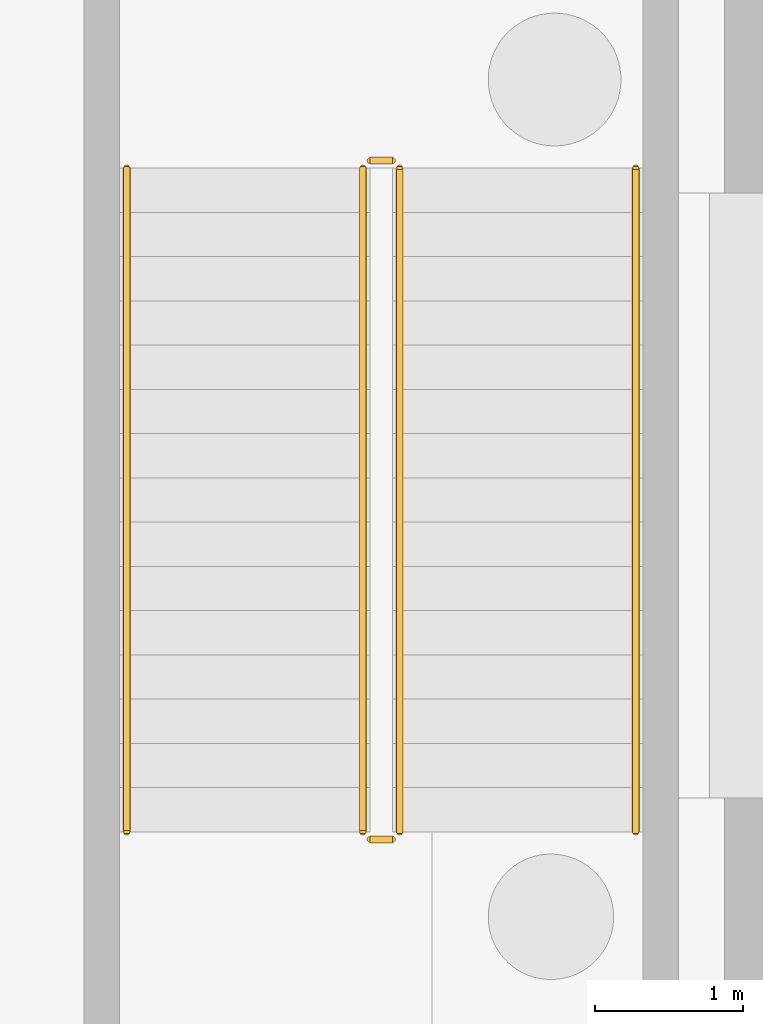
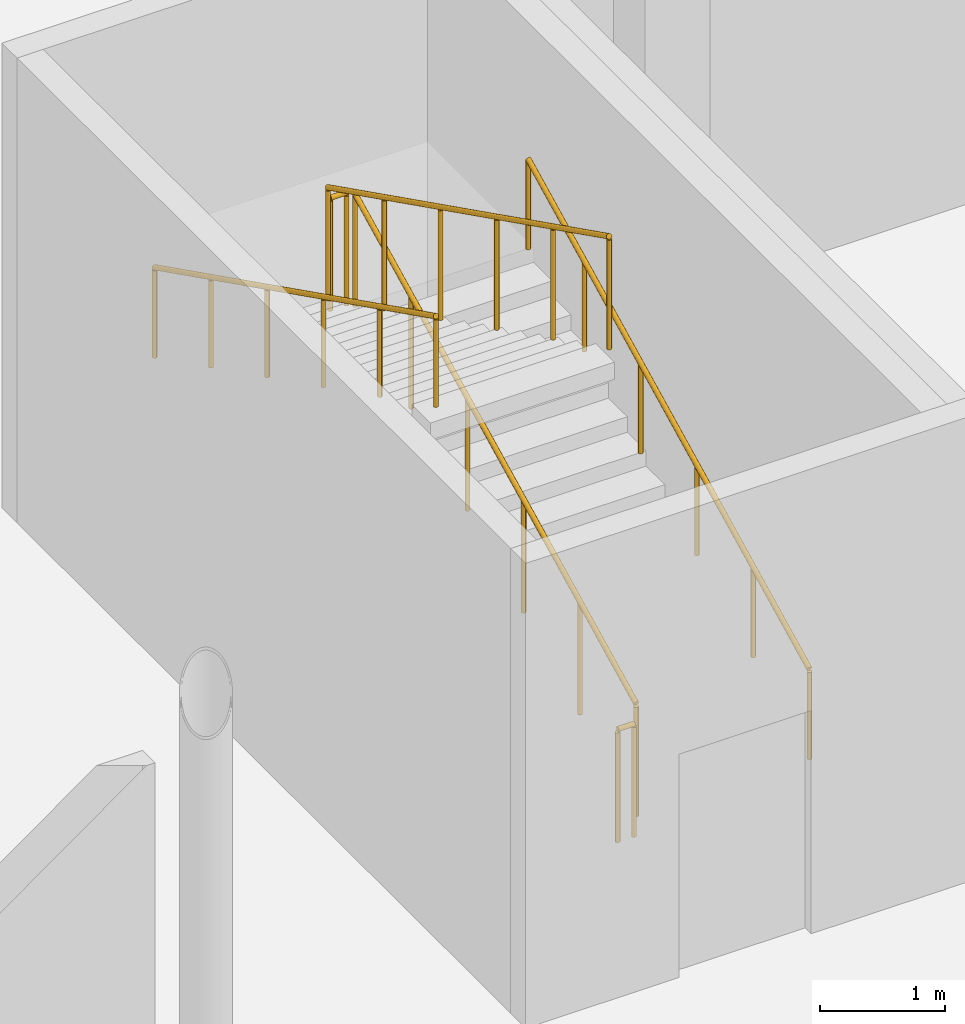
# One storey, part 37 of 44: 6 railings.
"""IFC4 building model written with IfcOpenShell, lengths in metres."""

from ifc_helpers import new_model, si_unit, direction, frame, origin, origin_2d, place, context, subcontext, project, spatial, circle, extrude, material, layer, layer_set, type_object, element, save


model = new_model("IFC4")

# Units and contexts
model_context = context("Model", 3, precision=1e-05, world=origin(), true_north=direction((0.0, 1.0)))
body_context = subcontext(model_context, "Body", "Model", "MODEL_VIEW")
ifc_project = project(units=[si_unit("LENGTHUNIT", "METRE"), si_unit("AREAUNIT", "SQUARE_METRE"), si_unit("VOLUMEUNIT", "CUBIC_METRE"), si_unit("PLANEANGLEUNIT", "RADIAN"), si_unit("MASSUNIT", "GRAM", prefix="KILO")], contexts=[model_context])

# Site, building, storey
site_placement = place(None, origin())
site = spatial("IfcSite", under=ifc_project, at=site_placement, CompositionType="ELEMENT")
building_placement = place(site_placement, origin())
building = spatial("IfcBuilding", under=site, at=building_placement, Name="Yukiwa Park Conservatory and Herbarium", CompositionType="ELEMENT")
storey_placement = place(building_placement, frame((0.0, 0.0, -4.800048828125)))
storey = spatial("IfcBuildingStorey", under=building, at=storey_placement, Name="B1", CompositionType="ELEMENT", Elevation=-4.800048828125)

# Railings
ifc_material_1 = material(Name="Steel Q235B", Category="steel")
ifc_layer_1 = layer(ifc_material_1, 0.050048828125)
ifc_layer_set_1 = layer_set([ifc_layer_1], Name="Steel Q235B")
railing_type_1 = type_object("IfcRailingType", Name="RL-STAIR-GUARD-1120", PredefinedType="BALUSTRADE", material=ifc_layer_set_1)
railing_1_placement = place(storey_placement, frame((57.60009765625, 9.14990234375, 0.150146484375)))
element("IfcRailing", 1, at=railing_1_placement, inside=storey, type_object=railing_type_1, Name="B1 ST-C2 stair guard 1", PredefinedType="BALUSTRADE", context=body_context, shape_type="SweptSolid", body=[
    extrude(circle(Radius=0.02392578125, at=origin_2d()), frame((0.0, 0.0, 1.09619140625), z_axis=(0.0, 0.894427191, 0.4472135955), x_axis=(-1.0, 0.0, 0.0)), (0.0, 0.0, 1.0), 5.03125),
    extrude(circle(Radius=0.02099609375, at=origin_2d()), origin(), (0.0, 0.0, 1.0), 1.072021484375),
    extrude(circle(Radius=0.02099609375, at=origin_2d()), frame((0.0, 0.89990234375, 0.449951171875)), (0.0, 0.0, 1.0), 1.072021484375),
    extrude(circle(Radius=0.02099609375, at=origin_2d()), frame((0.0, 1.800048828125, 0.89990234375)), (0.0, 0.0, 1.0), 1.072021484375),
    extrude(circle(Radius=0.02099609375, at=origin_2d()), frame((0.0, 2.699951171875, 1.35009765625)), (0.0, 0.0, 1.0), 1.072021484375),
    extrude(circle(Radius=0.02099609375, at=origin_2d()), frame((0.0, 3.60009765625, 1.800048828125)), (0.0, 0.0, 1.0), 1.072021484375),
    extrude(circle(Radius=0.02099609375, at=origin_2d()), frame((0.0, 4.5, 2.25)), (0.0, 0.0, 1.0), 1.072021484375),
])
railing_2_placement = place(storey_placement, frame((57.550048828125, 13.699951171875, 2.400146484375)))
element("IfcRailing", 2, at=railing_2_placement, inside=storey, type_object=railing_type_1, Name="B1 ST-C2 stair guard 2", PredefinedType="BALUSTRADE", context=body_context, shape_type="SweptSolid", body=[
    extrude(circle(Radius=0.02392578125, at=origin_2d()), frame((0.0, 0.0, 1.09619140625), z_axis=(-1.0, 0.0, 0.0), x_axis=(0.0, -1.0, 0.0)), (0.0, 0.0, 1.0), 0.150146484375),
    extrude(circle(Radius=0.02099609375, at=origin_2d()), origin(), (0.0, 0.0, 1.0), 1.072021484375),
    extrude(circle(Radius=0.02099609375, at=origin_2d()), frame((-0.150146484375, 0.0, 0.0)), (0.0, 0.0, 1.0), 1.072021484375),
])
railing_3_placement = place(storey_placement, frame((57.35009765625, 13.64990234375, 2.550048828125)))
element("IfcRailing", 3, at=railing_3_placement, inside=storey, type_object=railing_type_1, Name="B1 ST-C2 stair guard 3", PredefinedType="BALUSTRADE", context=body_context, shape_type="SweptSolid", body=[
    extrude(circle(Radius=0.02392578125, at=origin_2d()), frame((0.0, 0.0, 1.09619140625), z_axis=(0.0, -0.894427191, 0.4472135955), x_axis=(1.0, 0.0, 0.0)), (0.0, 0.0, 1.0), 5.03125),
    extrude(circle(Radius=0.02099609375, at=origin_2d()), origin(), (0.0, 0.0, 1.0), 1.072021484375),
    extrude(circle(Radius=0.02099609375, at=origin_2d()), frame((0.0, -0.89990234375, 0.449951171875)), (0.0, 0.0, 1.0), 1.072021484375),
    extrude(circle(Radius=0.02099609375, at=origin_2d()), frame((0.0, -1.800048828125, 0.89990234375)), (0.0, 0.0, 1.0), 1.072021484375),
    extrude(circle(Radius=0.02099609375, at=origin_2d()), frame((0.0, -2.699951171875, 1.35009765625)), (0.0, 0.0, 1.0), 1.072021484375),
    extrude(circle(Radius=0.02099609375, at=origin_2d()), frame((0.0, -3.60009765625, 1.800048828125)), (0.0, 0.0, 1.0), 1.072021484375),
    extrude(circle(Radius=0.02099609375, at=origin_2d()), frame((0.0, -4.5, 2.25)), (0.0, 0.0, 1.0), 1.072021484375),
])
railing_4_placement = place(storey_placement, frame((57.550048828125, 9.10009765625, 0.0)))
element("IfcRailing", 4, at=railing_4_placement, inside=storey, type_object=railing_type_1, Name="B1 ST-C2 stair guard 4", PredefinedType="BALUSTRADE", context=body_context, shape_type="SweptSolid", body=[
    extrude(circle(Radius=0.02392578125, at=origin_2d()), frame((0.0, 0.0, 1.09619140625), z_axis=(-1.0, 0.0, 0.0), x_axis=(0.0, -1.0, 0.0)), (0.0, 0.0, 1.0), 0.150146484375),
    extrude(circle(Radius=0.02099609375, at=origin_2d()), origin(), (0.0, 0.0, 1.0), 1.072021484375),
    extrude(circle(Radius=0.02099609375, at=origin_2d()), frame((-0.150146484375, 0.0, 0.0)), (0.0, 0.0, 1.0), 1.072021484375),
])
ifc_material_2 = material(Name="Steel Q235B", Category="steel")
ifc_layer_2 = layer(ifc_material_2, 0.044921875)
ifc_layer_set_2 = layer_set([ifc_layer_2], Name="Steel Q235B")
railing_type_2 = type_object("IfcRailingType", Name="RL-STAIR-RAIL-900", PredefinedType="HANDRAIL", material=ifc_layer_set_2)
railing_5_placement = place(storey_placement, frame((59.199951171875, 9.14990234375, 0.150146484375)))
element("IfcRailing", 5, at=railing_5_placement, inside=storey, type_object=railing_type_2, Name="B1 ST-C2 stair handrail 1", PredefinedType="HANDRAIL", context=body_context, shape_type="SweptSolid", body=[
    extrude(circle(Radius=0.02392578125, at=origin_2d()), frame((0.0, 0.0, 0.8759765625), z_axis=(0.0, 0.894427191, 0.4472135955), x_axis=(-1.0, 0.0, 0.0)), (0.0, 0.0, 1.0), 5.03125),
    extrude(circle(Radius=0.02099609375, at=origin_2d()), origin(), (0.0, 0.0, 1.0), 0.851806640625),
    extrude(circle(Radius=0.02099609375, at=origin_2d()), frame((0.0, 0.89990234375, 0.449951171875)), (0.0, 0.0, 1.0), 0.851806640625),
    extrude(circle(Radius=0.02099609375, at=origin_2d()), frame((0.0, 1.800048828125, 0.89990234375)), (0.0, 0.0, 1.0), 0.851806640625),
    extrude(circle(Radius=0.02099609375, at=origin_2d()), frame((0.0, 2.699951171875, 1.35009765625)), (0.0, 0.0, 1.0), 0.851806640625),
    extrude(circle(Radius=0.02099609375, at=origin_2d()), frame((0.0, 3.60009765625, 1.800048828125)), (0.0, 0.0, 1.0), 0.851806640625),
    extrude(circle(Radius=0.02099609375, at=origin_2d()), frame((0.0, 4.5, 2.25)), (0.0, 0.0, 1.0), 0.851806640625),
])
railing_6_placement = place(storey_placement, frame((55.75, 13.64990234375, 2.550048828125)))
element("IfcRailing", 6, at=railing_6_placement, inside=storey, type_object=railing_type_2, Name="B1 ST-C2 stair handrail 2", PredefinedType="HANDRAIL", context=body_context, shape_type="SweptSolid", body=[
    extrude(circle(Radius=0.02392578125, at=origin_2d()), frame((0.0, 0.0, 0.8759765625), z_axis=(0.0, -0.894427191, 0.4472135955), x_axis=(1.0, 0.0, 0.0)), (0.0, 0.0, 1.0), 5.03125),
    extrude(circle(Radius=0.02099609375, at=origin_2d()), origin(), (0.0, 0.0, 1.0), 0.851806640625),
    extrude(circle(Radius=0.02099609375, at=origin_2d()), frame((0.0, -0.89990234375, 0.449951171875)), (0.0, 0.0, 1.0), 0.851806640625),
    extrude(circle(Radius=0.02099609375, at=origin_2d()), frame((0.0, -1.800048828125, 0.89990234375)), (0.0, 0.0, 1.0), 0.851806640625),
    extrude(circle(Radius=0.02099609375, at=origin_2d()), frame((0.0, -2.699951171875, 1.35009765625)), (0.0, 0.0, 1.0), 0.851806640625),
    extrude(circle(Radius=0.02099609375, at=origin_2d()), frame((0.0, -3.60009765625, 1.800048828125)), (0.0, 0.0, 1.0), 0.851806640625),
    extrude(circle(Radius=0.02099609375, at=origin_2d()), frame((0.0, -4.5, 2.25)), (0.0, 0.0, 1.0), 0.851806640625),
])

save(model, "model.ifc")
